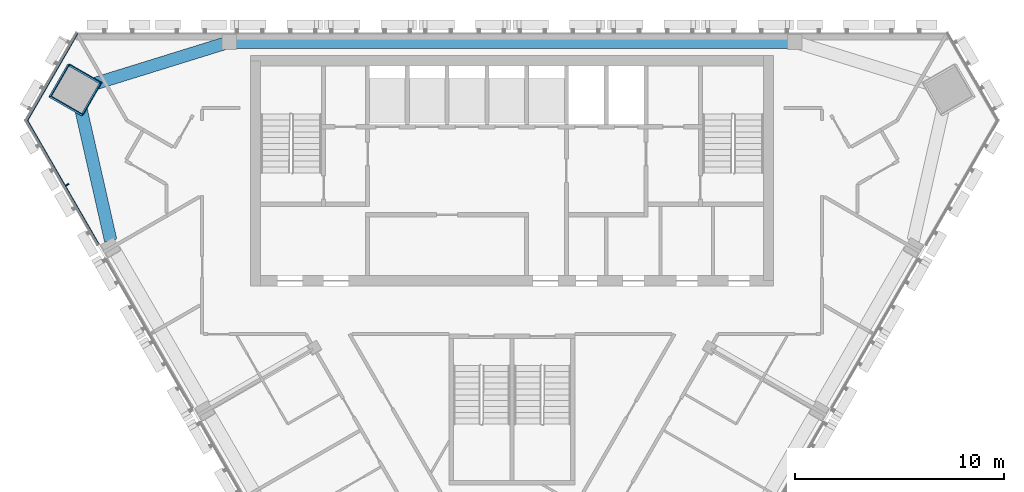
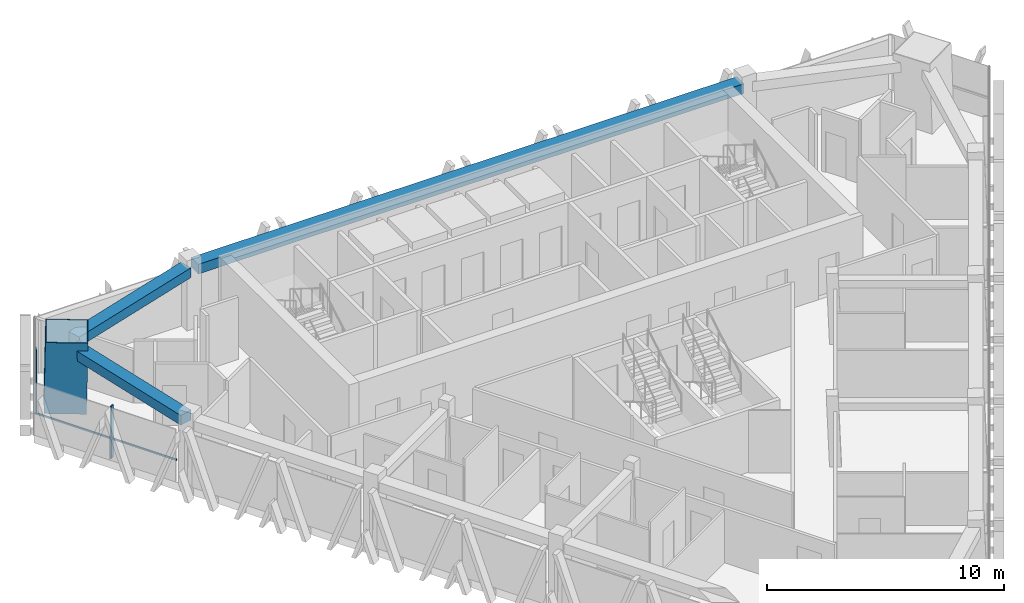
# One storey, part 5 of 14: 4 members, 3 beams, 2 elements without a shape of their own.
"""IFC4 building model written with IfcOpenShell, lengths in metres."""

from ifc_helpers import new_model, si_unit, direction, frame, origin, origin_2d, place, context, subcontext, project, spatial, rectangle, hollow_rectangle, extrude, material, layer, layer_set, material_profile, profile_set, type_object, element, aggregate, save


model = new_model("IFC4")

# Units and contexts
model_context = context("Model", 3, precision=1e-05, world=origin(), true_north=direction((0.0, 1.0)))
body_context = subcontext(model_context, "Body", "Model", "MODEL_VIEW")
ifc_project = project(units=[si_unit("LENGTHUNIT", "METRE"), si_unit("AREAUNIT", "SQUARE_METRE"), si_unit("VOLUMEUNIT", "CUBIC_METRE"), si_unit("PLANEANGLEUNIT", "RADIAN"), si_unit("MASSUNIT", "GRAM", prefix="KILO")], contexts=[model_context])

# Site, building, storey
site_placement = place(None, origin())
site = spatial("IfcSite", under=ifc_project, at=site_placement, CompositionType="ELEMENT")
building_placement = place(site_placement, origin())
building = spatial("IfcBuilding", under=site, at=building_placement, Name="Altiplano Prism Tower", CompositionType="ELEMENT")
storey_placement = place(building_placement, frame((0.0, 0.0, 268.0)))
storey = spatial("IfcBuildingStorey", under=building, at=storey_placement, Name="L69", CompositionType="ELEMENT", Elevation=268.0)

# Curtain wall, member
ifc_material_1 = material(Name="Aluminium and glass", Category="aluminium")
ifc_layer = layer(ifc_material_1, 0.280029296875)
ifc_layer_set = layer_set([ifc_layer], Name="Aluminium and glass")
curtain_wall_type = type_object("IfcCurtainWallType", Name="CW1 typical co-living unitised curtain wall", PredefinedType="NOTDEFINED", material=ifc_layer_set)
curtain_wall_1_placement = place(storey_placement, origin())
curtain_wall_1 = element("IfcCurtainWall", 1, at=curtain_wall_1_placement, inside=storey, type_object=curtain_wall_type, Name="CW1 curtain wall south-west face L69", PredefinedType="NOTDEFINED")
ifc_material_2 = material(Name="Aluminium", Category="aluminium")
ifc_material_profile_1 = material_profile(ifc_material_2, rectangle(XDim=0.179931640625, YDim=0.06494140625, at=origin_2d()), Name="CW1 mullion 65 x 180")
ifc_profile_set_1 = profile_set([ifc_material_profile_1], Name="Aluminium")
member_type_1 = type_object("IfcMemberType", Name="CW1 mullion 65 x 180", PredefinedType="MULLION", material=ifc_profile_set_1)
member_1_placement = place(storey_placement, frame((63.75390625, 97.729248046875, 0.0), z_axis=(0.0, 0.0, 1.0), x_axis=(0.866025408191, 0.499999992367, 0.0)))
member_1 = element("IfcMember", 2, at=member_1_placement, type_object=member_type_1, Name="CW1 mullion", PredefinedType="MULLION", context=body_context, shape_type="SweptSolid", body=[
    extrude(rectangle(XDim=0.179931640625, YDim=0.06494140625, at=origin_2d()), origin(), (0.0, 0.0, 1.0), 2.699951171875),
])

curtain_wall_2_placement = place(storey_placement, origin())
curtain_wall_2 = element("IfcCurtainWall", 3, at=curtain_wall_2_placement, inside=storey, type_object=curtain_wall_type, Name="CW1 curtain wall north-west chamfer L69", PredefinedType="NOTDEFINED")
ifc_material_profile_2 = material_profile(ifc_material_2, rectangle(XDim=0.06005859375, YDim=0.080078125, at=origin_2d()), Name="CW1 transom 80 x 60")
ifc_profile_set_2 = profile_set([ifc_material_profile_2], Name="Aluminium")
member_type_2 = type_object("IfcMemberType", Name="CW1 transom 80 x 60", PredefinedType="USERDEFINED", material=ifc_profile_set_2)
member_2_placement = place(storey_placement, frame((64.24462890625, 104.965087890625, 1.10009765625), z_axis=(-0.500017455734, -0.866015325477, 0.0), x_axis=(0.866015325477, -0.500017455734, 0.0)))
member_2 = element("IfcMember", 4, at=member_2_placement, type_object=member_type_2, Name="CW1 transom", ObjectType="TRANSOM", PredefinedType="USERDEFINED", context=body_context, shape_type="SweptSolid", body=[
    extrude(rectangle(XDim=0.06005859375, YDim=0.080078125, at=origin_2d()), origin(), (0.0, 0.0, 1.0), 4.847412109375),
])
aggregate(curtain_wall_2, [member_2])

# Member
member_3_placement = place(storey_placement, frame((61.82080078125, 100.837158203125, 1.10009765625), z_axis=(0.500012965332, -0.866017918117, 0.0), x_axis=(0.866017918117, 0.500012965332, 0.0)))
member_3 = element("IfcMember", 5, at=member_3_placement, type_object=member_type_2, Name="CW1 transom", ObjectType="TRANSOM", PredefinedType="USERDEFINED", context=body_context, shape_type="SweptSolid", body=[
    extrude(rectangle(XDim=0.06005859375, YDim=0.080078125, at=origin_2d()), origin(), (0.0, 0.0, 1.0), 6.886474609375),
])

aggregate(curtain_wall_1, [member_1, member_3])

# Beams
ifc_material_3 = material(Name="Concrete C60/75", Category="concrete")
ifc_material_profile_3 = material_profile(ifc_material_3, rectangle(XDim=0.60009765625, YDim=0.5, at=origin_2d()), Name="Edge beam 600x500")
ifc_profile_set_3 = profile_set([ifc_material_profile_3], Name="Concrete C60/75")
beam_type = type_object("IfcBeamType", Name="Edge beam 600x500", PredefinedType="SPANDREL", material=ifc_profile_set_3)
beam_1_placement = place(storey_placement, frame((98.27001953125, 104.550048828125, 2.949951171875), z_axis=(-1.0, 0.0, 0.0), x_axis=(0.0, -1.0, 0.0)))
element("IfcBeam", 6, at=beam_1_placement, inside=storey, type_object=beam_type, Name="Edge beam P01-P04 L70", PredefinedType="SPANDREL", context=body_context, shape_type="SweptSolid", body=[
    extrude(rectangle(XDim=0.60009765625, YDim=0.5, at=origin_2d()), origin(), (0.0, 0.0, 1.0), 26.5400390625),
])
beam_2_placement = place(storey_placement, frame((71.2646484375, 104.47705078125, 2.949951171875), z_axis=(-0.955053501736, -0.296433481276, 0.0), x_axis=(0.296433481276, -0.955053501736, 0.0)))
element("IfcBeam", 7, at=beam_2_placement, inside=storey, type_object=beam_type, Name="Edge beam P04-M0 L70", PredefinedType="SPANDREL", context=body_context, shape_type="SweptSolid", body=[
    extrude(rectangle(XDim=0.60009765625, YDim=0.5, at=origin_2d()), origin(), (0.0, 0.0, 1.0), 6.947021484375),
])
beam_3_placement = place(storey_placement, frame((64.299560546875, 101.845458984375, 2.949951171875), z_axis=(0.220809883579, -0.975316869183, 0.0), x_axis=(0.975316869183, 0.220809883579, 0.0)))
element("IfcBeam", 8, at=beam_3_placement, inside=storey, type_object=beam_type, Name="Edge beam M0-P11 L70", PredefinedType="SPANDREL", context=body_context, shape_type="SweptSolid", body=[
    extrude(rectangle(XDim=0.60009765625, YDim=0.5, at=origin_2d()), origin(), (0.0, 0.0, 1.0), 6.94677734375),
])

# Member
ifc_material_4 = material(Name="Steel S460", Category="steel")
ifc_material_profile_4 = material_profile(ifc_material_4, hollow_rectangle(XDim=1.800048828125, YDim=1.800048828125, WallThickness=0.0400390625, at=origin_2d()), Name="Mega column tube 1800")
ifc_profile_set_4 = profile_set([ifc_material_profile_4], Name="Steel S460")
member_type_3 = type_object("IfcMemberType", Name="Mega column tube 1800", PredefinedType="POST", material=ifc_profile_set_4)
member_4_placement = place(storey_placement, frame((64.097900390625, 102.2509765625, 0.0), z_axis=(0.028401796786, 0.009286506348, 0.999553449666), x_axis=(-0.866207749735, 0.49928465528, 0.019974165832)))
element("IfcMember", 9, at=member_4_placement, inside=storey, type_object=member_type_3, Name="Mega column tube M0 L69", PredefinedType="POST", context=body_context, shape_type="SweptSolid", body=[
    extrude(hollow_rectangle(XDim=1.800048828125, YDim=1.800048828125, WallThickness=0.0400390625, at=origin_2d()), origin(), (0.0, 0.0, 1.0), 3.601806640625),
])

save(model, "model.ifc")
